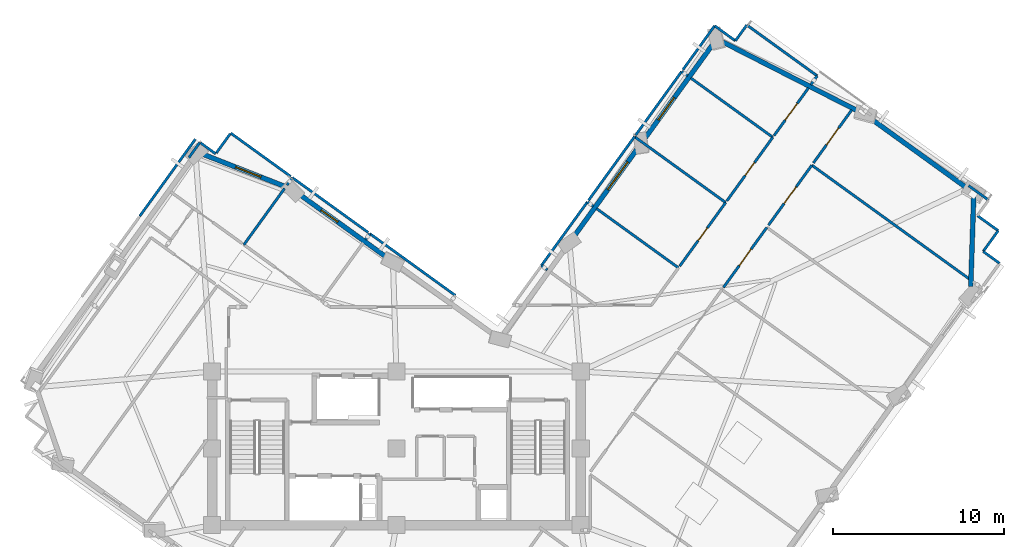
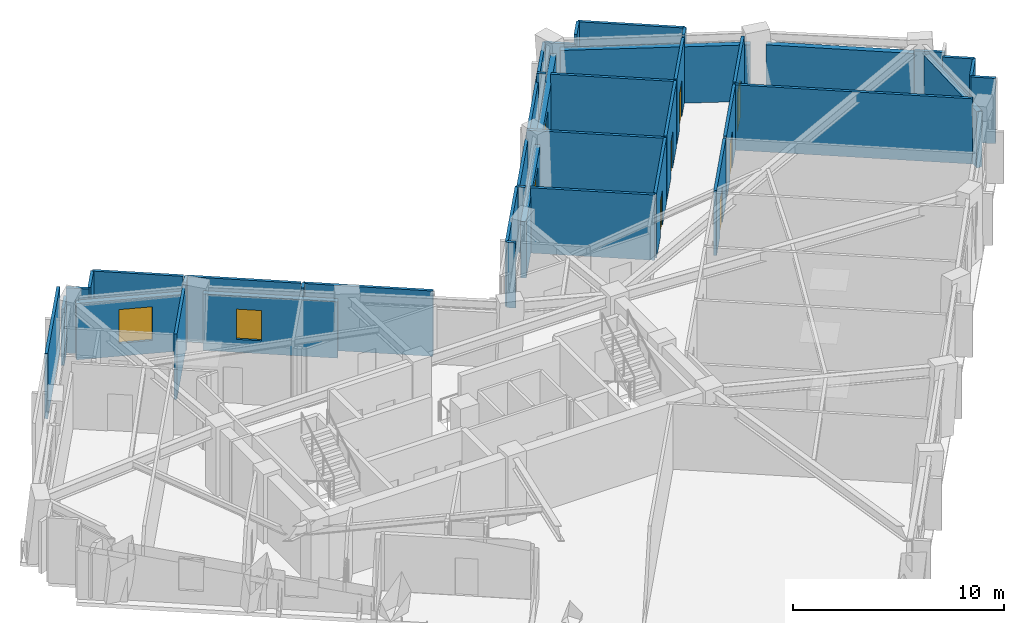
# One storey, part 7 of 13: 42 walls, 6 doors, 4 windows, 10 openings.
"""IFC4 building model written with IfcOpenShell, lengths in metres."""

from ifc_helpers import new_model, si_unit, direction, frame, frame_2d, origin, place, context, subcontext, project, spatial, rectangle, extrude, material, layer, layer_set, type_object, element, fill, save


model = new_model("IFC4")

# Units and contexts
model_context = context("Model", 3, precision=1e-05, world=origin(), true_north=direction((0.0, 1.0)))
body_context = subcontext(model_context, "Body", "Model", "MODEL_VIEW")
ifc_project = project(units=[si_unit("LENGTHUNIT", "METRE"), si_unit("AREAUNIT", "SQUARE_METRE"), si_unit("VOLUMEUNIT", "CUBIC_METRE"), si_unit("PLANEANGLEUNIT", "RADIAN"), si_unit("MASSUNIT", "GRAM", prefix="KILO")], contexts=[model_context])

# Site, building, storey
site_placement = place(None, origin())
site = spatial("IfcSite", under=ifc_project, at=site_placement, CompositionType="ELEMENT")
building_placement = place(site_placement, origin())
building = spatial("IfcBuilding", under=site, at=building_placement, Name="Gaonmaruhae Medical Tower", CompositionType="ELEMENT")
storey_placement = place(building_placement, frame((0.0, 0.0, 255.199951171875)))
storey = spatial("IfcBuildingStorey", under=building, at=storey_placement, Name="L61", CompositionType="ELEMENT", Elevation=255.199951171875)

# Walls
ifc_material_1 = material(Name="Precast concrete C45/55", Category="concrete")
ifc_layer_1 = layer(ifc_material_1, 0.280029296875)
ifc_layer_set_1 = layer_set([ifc_layer_1], Name="Precast concrete C45/55")
wall_type_1 = type_object("IfcWallType", Name="EW-280 Upper Precast Masonry-Frame Facade Wall", PredefinedType="SOLIDWALL", material=ifc_layer_set_1)
wall_1_placement = place(storey_placement, frame((58.6240234375, 27.06591796875, 0.0), z_axis=(0.0, 0.0, 1.0), x_axis=(-0.03315820566, -0.999450115512, 0.0)))
element("IfcWall", 1, at=wall_1_placement, inside=storey, type_object=wall_type_1, Name="L61 Precast Masonry-Frame Wall S06-E01", PredefinedType="SOLIDWALL", context=body_context, shape_type="SweptSolid", body=[
    extrude(rectangle(XDim=5.2939453125, YDim=0.280029296875, at=frame_2d((2.64697265625, 0.0))), origin(), (0.0, 0.0, 1.0), 3.26513671875),
])
wall_2_placement = place(storey_placement, frame((52.50927734375, 31.6787109375, 0.0), z_axis=(0.0, 0.0, 1.0), x_axis=(0.81055861037, -0.58565752719, 0.0)))
element("IfcWall", 2, at=wall_2_placement, inside=storey, type_object=wall_type_1, Name="L61 Precast Masonry-Frame Wall E01-E02", PredefinedType="SOLIDWALL", context=body_context, shape_type="SweptSolid", body=[
    extrude(rectangle(XDim=7.04638671875, YDim=0.280029296875, at=frame_2d((3.523193359375, 0.0))), origin(), (0.0, 0.0, 1.0), 3.26513671875),
])
wall_3_placement = place(storey_placement, frame((43.810791015625, 36.164794921875, 0.0), z_axis=(0.0, 0.0, 1.0), x_axis=(0.890535873605, -0.454913022261, 0.0)))
element("IfcWall", 3, at=wall_3_placement, inside=storey, type_object=wall_type_1, Name="L61 Precast Masonry-Frame Wall E02-E03", PredefinedType="SOLIDWALL", context=body_context, shape_type="SweptSolid", body=[
    extrude(rectangle(XDim=9.03662109375, YDim=0.280029296875, at=frame_2d((4.518310546875, 0.0))), origin(), (0.0, 0.0, 1.0), 3.26513671875),
])

# Wall, opening, window
wall_4_placement = place(storey_placement, frame((39.38134765625, 30.496337890625, 0.0), z_axis=(0.0, 0.0, 1.0), x_axis=(0.585668033743, 0.810551018908, 0.0)))
wall_4 = element("IfcWall", 4, at=wall_4_placement, inside=storey, type_object=wall_type_1, Name="L61 Precast Masonry-Frame Wall E03-EN01", PredefinedType="SOLIDWALL", context=body_context, shape_type="SweptSolid", body=[
    extrude(rectangle(XDim=6.77978515625, YDim=0.280029296875, at=frame_2d((3.389892578125, 0.0))), origin(), (0.0, 0.0, 1.0), 3.26513671875),
])
opening_1_placement = place(wall_4_placement, frame((1.294921875, 0.0, 0.75)))
opening_1 = element("IfcOpeningElement", 5, at=opening_1_placement, cuts=wall_4, Name="Opening WN-01", PredefinedType="OPENING", context=body_context, shape_type="SweptSolid", body=[
    extrude(rectangle(XDim=1.60009765625, YDim=1.949951171875, at=frame_2d((0.800048828125, 0.97509765625))), frame((0.0, 0.14990234375, 0.0), z_axis=(0.0, -1.0, 0.0), x_axis=(1.0, 0.0, 0.0)), (0.0, 0.0, 1.0), 0.300048828125),
])
ifc_material_2 = material(Name="Anodised aluminium and Low-E double glazing", Category="aluminium")
window_type_1 = type_object("IfcWindowType", Name="WN-01 Ward Punched Acoustic Window 1600x1950", PartitioningType="SINGLE_PANEL", PredefinedType="WINDOW", material=ifc_material_2)
window_1_placement = place(opening_1_placement, origin())
window_1 = element("IfcWindow", 6, at=window_1_placement, inside=storey, type_object=window_type_1, Name="L61 Modular Facade Window E03", OverallHeight=1.949951171875, OverallWidth=1.60009765625, PartitioningType="SINGLE_PANEL", PredefinedType="WINDOW", context=body_context, shape_type="SweptSolid", body=[
    extrude(rectangle(XDim=1.60009765625, YDim=1.949951171875, at=frame_2d((0.800048828125, 0.97509765625))), frame((0.0, 0.030029296875, 0.0), z_axis=(0.0, -1.0, 0.0), x_axis=(1.0, 0.0, 0.0)), (0.0, 0.0, 1.0), 0.06005859375),
])
fill(opening_1, window_1)

wall_5_placement = place(storey_placement, frame((35.16796875, 24.664794921875, 0.0), z_axis=(0.0, 0.0, 1.0), x_axis=(0.585643524066, 0.810568727943, 0.0)))
wall_5 = element("IfcWall", 7, at=wall_5_placement, inside=storey, type_object=wall_type_1, Name="L61 Precast Masonry-Frame Wall EN01-EN02", PredefinedType="SOLIDWALL", context=body_context, shape_type="SweptSolid", body=[
    extrude(rectangle(XDim=6.409423828125, YDim=0.280029296875, at=frame_2d((3.20458984375, 0.0))), origin(), (0.0, 0.0, 1.0), 3.26513671875),
])
opening_2_placement = place(wall_5_placement, frame((3.446533203125, 0.0, 0.75)))
opening_2 = element("IfcOpeningElement", 8, at=opening_2_placement, cuts=wall_5, Name="Opening WN-02", PredefinedType="OPENING", context=body_context, shape_type="SweptSolid", body=[
    extrude(rectangle(XDim=2.0, YDim=1.949951171875, at=frame_2d((1.0, 0.97509765625))), frame((0.0, 0.14990234375, 0.0), z_axis=(0.0, -1.0, 0.0), x_axis=(1.0, 0.0, 0.0)), (0.0, 0.0, 1.0), 0.300048828125),
])
window_type_2 = type_object("IfcWindowType", Name="WN-02 Double-Bed Ward Punched Window 2000x1950", PartitioningType="SINGLE_PANEL", PredefinedType="WINDOW", material=ifc_material_2)
window_2_placement = place(opening_2_placement, origin())
window_2 = element("IfcWindow", 9, at=window_2_placement, inside=storey, type_object=window_type_2, Name="L61 Modular Facade Window EN01", OverallHeight=1.949951171875, OverallWidth=2.0, PartitioningType="SINGLE_PANEL", PredefinedType="WINDOW", context=body_context, shape_type="SweptSolid", body=[
    extrude(rectangle(XDim=2.0, YDim=1.949951171875, at=frame_2d((1.0, 0.97509765625))), frame((0.0, 0.030029296875, 0.0), z_axis=(0.0, -1.0, 0.0), x_axis=(1.0, 0.0, 0.0)), (0.0, 0.0, 1.0), 0.06005859375),
])
fill(opening_2, window_2)

wall_6_placement = place(storey_placement, frame((19.09423828125, 27.2001953125, 0.0), z_axis=(0.0, 0.0, 1.0), x_axis=(0.810562962933, -0.585651503132, 0.0)))
wall_6 = element("IfcWall", 10, at=wall_6_placement, inside=storey, type_object=wall_type_1, Name="L61 Precast Masonry-Frame Wall NE01-NE02", PredefinedType="SOLIDWALL", context=body_context, shape_type="SweptSolid", body=[
    extrude(rectangle(XDim=6.424072265625, YDim=0.280029296875, at=frame_2d((3.2119140625, 0.0))), origin(), (0.0, 0.0, 1.0), 3.26513671875),
])
opening_3_placement = place(wall_6_placement, frame((1.60107421875, 0.0, 0.75)))
opening_3 = element("IfcOpeningElement", 11, at=opening_3_placement, cuts=wall_6, Name="Opening WN-05", PredefinedType="OPENING", context=body_context, shape_type="SweptSolid", body=[
    extrude(rectangle(XDim=1.199951171875, YDim=1.75, at=frame_2d((0.60009765625, 0.875))), frame((0.0, 0.14990234375, 0.0), z_axis=(0.0, -1.0, 0.0), x_axis=(1.0, 0.0, 0.0)), (0.0, 0.0, 1.0), 0.300048828125),
])
window_type_3 = type_object("IfcWindowType", Name="WN-05 Support & Staff Punched Window 1200x1750", PartitioningType="SINGLE_PANEL", PredefinedType="WINDOW", material=ifc_material_2)
window_3_placement = place(opening_3_placement, origin())
window_3 = element("IfcWindow", 12, at=window_3_placement, inside=storey, type_object=window_type_3, Name="L61 Modular Facade Window NE01", OverallHeight=1.75, OverallWidth=1.199951171875, PartitioningType="SINGLE_PANEL", PredefinedType="WINDOW", context=body_context, shape_type="SweptSolid", body=[
    extrude(rectangle(XDim=1.199951171875, YDim=1.75, at=frame_2d((0.60009765625, 0.875))), frame((0.0, 0.030029296875, 0.0), z_axis=(0.0, -1.0, 0.0), x_axis=(1.0, 0.0, 0.0)), (0.0, 0.0, 1.0), 0.06005859375),
])
fill(opening_3, window_3)

wall_7_placement = place(storey_placement, frame((13.477783203125, 29.525634765625, 0.0), z_axis=(0.0, 0.0, 1.0), x_axis=(0.930610950032, -0.366009917461, 0.0)))
wall_7 = element("IfcWall", 13, at=wall_7_placement, inside=storey, type_object=wall_type_1, Name="L61 Precast Masonry-Frame Wall NE02-N01", PredefinedType="SOLIDWALL", context=body_context, shape_type="SweptSolid", body=[
    extrude(rectangle(XDim=5.30224609375, YDim=0.280029296875, at=frame_2d((2.651123046875, 0.0))), origin(), (0.0, 0.0, 1.0), 3.26513671875),
])
opening_4_placement = place(wall_7_placement, frame((2.03662109375, 0.0, 0.75)))
opening_4 = element("IfcOpeningElement", 14, at=opening_4_placement, cuts=wall_7, Name="Opening WN-01", PredefinedType="OPENING", context=body_context, shape_type="SweptSolid", body=[
    extrude(rectangle(XDim=1.60009765625, YDim=1.949951171875, at=frame_2d((0.800048828125, 0.97509765625))), frame((0.0, 0.14990234375, 0.0), z_axis=(0.0, -1.0, 0.0), x_axis=(1.0, 0.0, 0.0)), (0.0, 0.0, 1.0), 0.300048828125),
])
window_4_placement = place(opening_4_placement, origin())
window_4 = element("IfcWindow", 15, at=window_4_placement, inside=storey, type_object=window_type_1, Name="L61 Modular Facade Window NE02", OverallHeight=1.949951171875, OverallWidth=1.60009765625, PartitioningType="SINGLE_PANEL", PredefinedType="WINDOW", context=body_context, shape_type="SweptSolid", body=[
    extrude(rectangle(XDim=1.60009765625, YDim=1.949951171875, at=frame_2d((0.800048828125, 0.97509765625))), frame((0.0, 0.030029296875, 0.0), z_axis=(0.0, -1.0, 0.0), x_axis=(1.0, 0.0, 0.0)), (0.0, 0.0, 1.0), 0.06005859375),
])
fill(opening_4, window_4)

# Wall, opening, door
ifc_material_3 = material(Name="Gypsum board partition", Category="gypsum")
ifc_layer_2 = layer(ifc_material_3, 0.14990234375)
ifc_layer_set_2 = layer_set([ifc_layer_2], Name="Gypsum board partition")
wall_type_2 = type_object("IfcWallType", Name="PW-150 Rated Clinical Corridor Partition", PredefinedType="PARTITIONING", material=ifc_layer_set_2)
wall_8_placement = place(storey_placement, frame((43.9609375, 21.72412109375, 0.0), z_axis=(0.0, 0.0, 1.0), x_axis=(0.585693863478, 0.810532354865, 0.0)))
wall_8 = element("IfcWall", 16, at=wall_8_placement, inside=storey, type_object=wall_type_2, Name="L61 Interior Partition L61-SUP08-19", PredefinedType="PARTITIONING", context=body_context, shape_type="SweptSolid", body=[
    extrude(rectangle(XDim=4.340087890625, YDim=0.14990234375, at=frame_2d((2.169921875, 0.0))), origin(), (0.0, 0.0, 1.0), 3.780029296875),
])
opening_5_placement = place(wall_8_placement, frame((1.570068359375, 0.0, 0.0)))
opening_5 = element("IfcOpeningElement", 17, at=opening_5_placement, cuts=wall_8, Name="Opening CD-02", PredefinedType="OPENING", context=body_context, shape_type="SweptSolid", body=[
    extrude(rectangle(XDim=1.199951171875, YDim=2.14990234375, at=frame_2d((0.60009765625, 1.074951171875))), frame((0.0, 0.0849609375, 0.0), z_axis=(0.0, -1.0, 0.0), x_axis=(1.0, 0.0, 0.0)), (0.0, 0.0, 1.0), 0.169921875),
])
ifc_material_4 = material(Name="Antimicrobial laminate timber fire door", Category="wood")
door_type_1 = type_object("IfcDoorType", Name="CD-02 Clinical Treatment & Procedure Door 1200x2150", OperationType="NOTDEFINED", PredefinedType="DOOR", material=ifc_material_4)
door_1_placement = place(opening_5_placement, origin())
door_1 = element("IfcDoor", 18, at=door_1_placement, inside=storey, type_object=door_type_1, Name="L61 Clinical Biomedical Charting Office Door", OperationType="SINGLE_SWING_LEFT", OverallHeight=2.14990234375, OverallWidth=1.199951171875, PredefinedType="DOOR", context=body_context, shape_type="SweptSolid", body=[
    extrude(rectangle(XDim=1.199951171875, YDim=2.14990234375, at=frame_2d((0.60009765625, 1.074951171875))), frame((0.0, 0.02490234375, 0.0), z_axis=(0.0, -1.0, 0.0), x_axis=(1.0, 0.0, 0.0)), (0.0, 0.0, 1.0), 0.050048828125),
])
fill(opening_5, door_1)

wall_9_placement = place(storey_placement, frame((46.596923828125, 25.37109375, 0.0), z_axis=(0.0, 0.0, 1.0), x_axis=(0.585693863478, 0.810532354865, 0.0)))
wall_9 = element("IfcWall", 19, at=wall_9_placement, inside=storey, type_object=wall_type_2, Name="L61 Interior Partition L61-SUP09-22", PredefinedType="PARTITIONING", context=body_context, shape_type="SweptSolid", body=[
    extrude(rectangle(XDim=4.340087890625, YDim=0.14990234375, at=frame_2d((2.169921875, 0.0))), origin(), (0.0, 0.0, 1.0), 3.780029296875),
])
opening_6_placement = place(wall_9_placement, frame((1.570068359375, 0.0, 0.0)))
opening_6 = element("IfcOpeningElement", 20, at=opening_6_placement, cuts=wall_9, Name="Opening CD-02", PredefinedType="OPENING", context=body_context, shape_type="SweptSolid", body=[
    extrude(rectangle(XDim=1.199951171875, YDim=2.14990234375, at=frame_2d((0.60009765625, 1.074951171875))), frame((0.0, 0.0849609375, 0.0), z_axis=(0.0, -1.0, 0.0), x_axis=(1.0, 0.0, 0.0)), (0.0, 0.0, 1.0), 0.169921875),
])
door_2_placement = place(opening_6_placement, origin())
door_2 = element("IfcDoor", 21, at=door_2_placement, inside=storey, type_object=door_type_1, Name="L61 Clinical Biomedical Charting Office Door", OperationType="SINGLE_SWING_LEFT", OverallHeight=2.14990234375, OverallWidth=1.199951171875, PredefinedType="DOOR", context=body_context, shape_type="SweptSolid", body=[
    extrude(rectangle(XDim=1.199951171875, YDim=2.14990234375, at=frame_2d((0.60009765625, 1.074951171875))), frame((0.0, 0.02490234375, 0.0), z_axis=(0.0, -1.0, 0.0), x_axis=(1.0, 0.0, 0.0)), (0.0, 0.0, 1.0), 0.050048828125),
])
fill(opening_6, door_2)

# Walls
wall_10_placement = place(storey_placement, frame((49.138916015625, 28.888916015625, 0.0), z_axis=(0.0, 0.0, 1.0), x_axis=(0.810544932865, -0.585676456593, 0.0)))
element("IfcWall", 22, at=wall_10_placement, inside=storey, type_object=wall_type_2, Name="L61 Interior Partition L61-SUP09-23", PredefinedType="PARTITIONING", context=body_context, shape_type="SweptSolid", body=[
    extrude(rectangle(XDim=11.363037109375, YDim=0.14990234375, at=frame_2d((5.681640625, 0.0))), origin(), (0.0, 0.0, 1.0), 3.780029296875),
])
wall_11_placement = place(storey_placement, frame((60.06005859375, 25.051025390625, 0.0), z_axis=(0.0, 0.0, 1.0), x_axis=(-0.585876607151, -0.810400272207, 0.0)))
element("IfcWall", 23, at=wall_11_placement, inside=storey, type_object=wall_type_2, Name="L61 Interior Partition L61-SUP10-26", PredefinedType="PARTITIONING", context=body_context, shape_type="SweptSolid", body=[
    extrude(rectangle(XDim=1.50048828125, YDim=0.14990234375, at=frame_2d((0.750244140625, 0.0))), origin(), (0.0, 0.0, 1.0), 3.780029296875),
])
wall_12_placement = place(storey_placement, frame((59.180908203125, 23.8349609375, 0.0), z_axis=(0.0, 0.0, 1.0), x_axis=(0.810788295009, -0.585339508897, 0.0)))
element("IfcWall", 24, at=wall_12_placement, inside=storey, type_object=wall_type_2, Name="L61 Interior Partition L61-SUP10-27", PredefinedType="PARTITIONING", context=body_context, shape_type="SweptSolid", body=[
    extrude(rectangle(XDim=1.180419921875, YDim=0.14990234375, at=frame_2d((0.59033203125, 0.0))), origin(), (0.0, 0.0, 1.0), 3.780029296875),
])

# Wall, opening, door
wall_13_placement = place(storey_placement, frame((49.23193359375, 29.01904296875, 0.0), z_axis=(0.0, 0.0, 1.0), x_axis=(0.58580257886, 0.810453785605, 0.0)))
wall_13 = element("IfcWall", 25, at=wall_13_placement, inside=storey, type_object=wall_type_2, Name="L61 Interior Partition L61-SUP10-29", PredefinedType="PARTITIONING", context=body_context, shape_type="SweptSolid", body=[
    extrude(rectangle(XDim=3.82763671875, YDim=0.14990234375, at=frame_2d((1.913818359375, 0.0))), origin(), (0.0, 0.0, 1.0), 3.780029296875),
])
opening_7_placement = place(wall_13_placement, frame((1.313720703125, 0.0, 0.0)))
opening_7 = element("IfcOpeningElement", 26, at=opening_7_placement, cuts=wall_13, Name="Opening CD-02", PredefinedType="OPENING", context=body_context, shape_type="SweptSolid", body=[
    extrude(rectangle(XDim=1.199951171875, YDim=2.14990234375, at=frame_2d((0.60009765625, 1.074951171875))), frame((0.0, 0.0849609375, 0.0), z_axis=(0.0, -1.0, 0.0), x_axis=(1.0, 0.0, 0.0)), (0.0, 0.0, 1.0), 0.169921875),
])
door_3_placement = place(opening_7_placement, origin())
door_3 = element("IfcDoor", 27, at=door_3_placement, inside=storey, type_object=door_type_1, Name="L61 Clinical Biomedical Charting Office Door", OperationType="SINGLE_SWING_LEFT", OverallHeight=2.14990234375, OverallWidth=1.199951171875, PredefinedType="DOOR", context=body_context, shape_type="SweptSolid", body=[
    extrude(rectangle(XDim=1.199951171875, YDim=2.14990234375, at=frame_2d((0.60009765625, 1.074951171875))), frame((0.0, 0.02490234375, 0.0), z_axis=(0.0, -1.0, 0.0), x_axis=(1.0, 0.0, 0.0)), (0.0, 0.0, 1.0), 0.050048828125),
])
fill(opening_7, door_3)

# Walls
wall_14_placement = place(storey_placement, frame((58.320068359375, 27.68994140625, 0.0), z_axis=(0.0, 0.0, 1.0), x_axis=(0.810400575894, -0.585876187083, 0.0)))
element("IfcWall", 28, at=wall_14_placement, inside=storey, type_object=wall_type_2, Name="L61 Interior Partition L61-SUP10-31", PredefinedType="PARTITIONING", context=body_context, shape_type="SweptSolid", body=[
    extrude(rectangle(XDim=1.4560546875, YDim=0.14990234375, at=frame_2d((0.72802734375, 0.0))), origin(), (0.0, 0.0, 1.0), 3.26513671875),
])
wall_15_placement = place(storey_placement, frame((58.843994140625, 25.929931640625, 0.0), z_axis=(0.0, 0.0, 1.0), x_axis=(0.810477520797, -0.585769739986, 0.0)))
element("IfcWall", 29, at=wall_15_placement, inside=storey, type_object=wall_type_2, Name="L61 Interior Partition L61-SUP10-33", PredefinedType="PARTITIONING", context=body_context, shape_type="SweptSolid", body=[
    extrude(rectangle(XDim=1.50048828125, YDim=0.14990234375, at=frame_2d((0.750244140625, 0.0))), origin(), (0.0, 0.0, 1.0), 3.780029296875),
])
wall_16_placement = place(storey_placement, frame((33.2919921875, 23.008056640625, 0.0), z_axis=(0.0, 0.0, 1.0), x_axis=(0.585684390919, 0.81053919969, 0.0)))
element("IfcWall", 30, at=wall_16_placement, inside=storey, type_object=wall_type_2, Name="L61 Interior Partition L61-IE03-56", PredefinedType="PARTITIONING", context=body_context, shape_type="SweptSolid", body=[
    extrude(rectangle(XDim=4.59814453125, YDim=0.14990234375, at=frame_2d((2.299072265625, 0.0))), origin(), (0.0, 0.0, 1.0), 3.780029296875),
])
wall_17_placement = place(storey_placement, frame((35.985107421875, 26.735107421875, 0.0), z_axis=(0.0, 0.0, 1.0), x_axis=(0.810309392331, -0.586002294108, 0.0)))
element("IfcWall", 31, at=wall_17_placement, inside=storey, type_object=wall_type_2, Name="L61 Interior Partition L61-IE03-57", PredefinedType="PARTITIONING", context=body_context, shape_type="SweptSolid", body=[
    extrude(rectangle(XDim=0.435302734375, YDim=0.14990234375, at=frame_2d((0.2177734375, 0.0))), origin(), (0.0, 0.0, 1.0), 3.780029296875),
])
wall_18_placement = place(storey_placement, frame((36.52392578125, 26.344970703125, 0.0), z_axis=(0.0, 0.0, 1.0), x_axis=(0.81053033329, -0.585696661094, 0.0)))
element("IfcWall", 32, at=wall_18_placement, inside=storey, type_object=wall_type_2, Name="L61 Interior Partition L61-IE03-58", PredefinedType="PARTITIONING", context=body_context, shape_type="SweptSolid", body=[
    extrude(rectangle(XDim=5.924560546875, YDim=0.14990234375, at=frame_2d((2.96240234375, 0.0))), origin(), (0.0, 0.0, 1.0), 3.780029296875),
])
wall_19_placement = place(storey_placement, frame((33.64501953125, 22.7529296875, 0.0), z_axis=(0.0, 0.0, 1.0), x_axis=(-0.810501828057, 0.585736106721, 0.0)))
element("IfcWall", 33, at=wall_19_placement, inside=storey, type_object=wall_type_2, Name="L61 Interior Partition L61-IE03-62", PredefinedType="PARTITIONING", context=body_context, shape_type="SweptSolid", body=[
    extrude(rectangle(XDim=0.435546875, YDim=0.14990234375, at=frame_2d((0.2177734375, 0.0))), origin(), (0.0, 0.0, 1.0), 3.780029296875),
])

# Wall, opening, door
wall_20_placement = place(storey_placement, frame((44.089111328125, 26.698974609375, 0.0), z_axis=(0.0, 0.0, 1.0), x_axis=(-0.585544838351, -0.810640020157, 0.0)))
wall_20 = element("IfcWall", 34, at=wall_20_placement, inside=storey, type_object=wall_type_2, Name="L61 Interior Partition L61-IE04-63", PredefinedType="PARTITIONING", context=body_context, shape_type="SweptSolid", body=[
    extrude(rectangle(XDim=4.59765625, YDim=0.14990234375, at=frame_2d((2.298828125, 0.0))), origin(), (0.0, 0.0, 1.0), 3.780029296875),
])
opening_8_placement = place(wall_20_placement, frame((1.8388671875, 0.0, 0.0)))
opening_8 = element("IfcOpeningElement", 35, at=opening_8_placement, cuts=wall_20, Name="Opening UD-01", PredefinedType="OPENING", context=body_context, shape_type="SweptSolid", body=[
    extrude(rectangle(XDim=0.919921875, YDim=2.10009765625, at=frame_2d((0.4599609375, 1.050048828125))), frame((0.0, 0.0849609375, 0.0), z_axis=(0.0, -1.0, 0.0), x_axis=(1.0, 0.0, 0.0)), (0.0, 0.0, 1.0), 0.169921875),
])
ifc_material_5 = material(Name="Powder-coated steel utility door", Category="steel")
door_type_2 = type_object("IfcDoorType", Name="UD-01 Toilet, Utility & Housekeeping Door 920x2100", OperationType="NOTDEFINED", PredefinedType="DOOR", material=ifc_material_5)
door_4_placement = place(opening_8_placement, origin())
door_4 = element("IfcDoor", 36, at=door_4_placement, inside=storey, type_object=door_type_2, Name="L61 Accessible Public Toilet Door", OperationType="SINGLE_SWING_RIGHT", OverallHeight=2.10009765625, OverallWidth=0.919921875, PredefinedType="DOOR", context=body_context, shape_type="SweptSolid", body=[
    extrude(rectangle(XDim=0.919921875, YDim=2.10009765625, at=frame_2d((0.4599609375, 1.050048828125))), frame((0.0, 0.02490234375, 0.0), z_axis=(0.0, -1.0, 0.0), x_axis=(1.0, 0.0, 0.0)), (0.0, 0.0, 1.0), 0.050048828125),
])
fill(opening_8, door_4)

# Walls
wall_21_placement = place(storey_placement, frame((36.054931640625, 26.83203125, 0.0), z_axis=(0.0, 0.0, 1.0), x_axis=(0.585684390919, 0.81053919969, 0.0)))
element("IfcWall", 37, at=wall_21_placement, inside=storey, type_object=wall_type_2, Name="L61 Interior Partition L61-IE04-64", PredefinedType="PARTITIONING", context=body_context, shape_type="SweptSolid", body=[
    extrude(rectangle(XDim=4.59814453125, YDim=0.14990234375, at=frame_2d((2.299072265625, 0.0))), origin(), (0.0, 0.0, 1.0), 3.26513671875),
])
wall_22_placement = place(storey_placement, frame((38.748046875, 30.55908203125, 0.0), z_axis=(0.0, 0.0, 1.0), x_axis=(0.810486733326, -0.585756993217, 0.0)))
element("IfcWall", 38, at=wall_22_placement, inside=storey, type_object=wall_type_2, Name="L61 Interior Partition L61-IE04-65", PredefinedType="PARTITIONING", context=body_context, shape_type="SweptSolid", body=[
    extrude(rectangle(XDim=6.58984375, YDim=0.14990234375, at=frame_2d((3.294921875, 0.0))), origin(), (0.0, 0.0, 1.0), 3.780029296875),
])

# Wall, opening, door
wall_23_placement = place(storey_placement, frame((46.85205078125, 30.52294921875, 0.0), z_axis=(0.0, 0.0, 1.0), x_axis=(-0.585544838351, -0.810640020157, 0.0)))
wall_23 = element("IfcWall", 39, at=wall_23_placement, inside=storey, type_object=wall_type_2, Name="L61 Interior Partition L61-IE05-66", PredefinedType="PARTITIONING", context=body_context, shape_type="SweptSolid", body=[
    extrude(rectangle(XDim=4.59765625, YDim=0.14990234375, at=frame_2d((2.298828125, 0.0))), origin(), (0.0, 0.0, 1.0), 3.780029296875),
])
opening_9_placement = place(wall_23_placement, frame((1.8388671875, 0.0, 0.0)))
opening_9 = element("IfcOpeningElement", 40, at=opening_9_placement, cuts=wall_23, Name="Opening UD-01", PredefinedType="OPENING", context=body_context, shape_type="SweptSolid", body=[
    extrude(rectangle(XDim=0.919921875, YDim=2.10009765625, at=frame_2d((0.4599609375, 1.050048828125))), frame((0.0, 0.0849609375, 0.0), z_axis=(0.0, -1.0, 0.0), x_axis=(1.0, 0.0, 0.0)), (0.0, 0.0, 1.0), 0.169921875),
])
door_5_placement = place(opening_9_placement, origin())
door_5 = element("IfcDoor", 41, at=door_5_placement, inside=storey, type_object=door_type_2, Name="L61 Ward Housekeeping and Linen Store Door", OperationType="SINGLE_SWING_RIGHT", OverallHeight=2.10009765625, OverallWidth=0.919921875, PredefinedType="DOOR", context=body_context, shape_type="SweptSolid", body=[
    extrude(rectangle(XDim=0.919921875, YDim=2.10009765625, at=frame_2d((0.4599609375, 1.050048828125))), frame((0.0, 0.02490234375, 0.0), z_axis=(0.0, -1.0, 0.0), x_axis=(1.0, 0.0, 0.0)), (0.0, 0.0, 1.0), 0.050048828125),
])
fill(opening_9, door_5)

# Walls
wall_24_placement = place(storey_placement, frame((38.818115234375, 30.656005859375, 0.0), z_axis=(0.0, 0.0, 1.0), x_axis=(0.58575034069, 0.810491541215, 0.0)))
element("IfcWall", 42, at=wall_24_placement, inside=storey, type_object=wall_type_2, Name="L61 Interior Partition L61-IE05-67", PredefinedType="PARTITIONING", context=body_context, shape_type="SweptSolid", body=[
    extrude(rectangle(XDim=4.597412109375, YDim=0.14990234375, at=frame_2d((2.298828125, 0.0))), origin(), (0.0, 0.0, 1.0), 3.26513671875),
])
wall_25_placement = place(storey_placement, frame((41.510986328125, 34.382080078125, 0.0), z_axis=(0.0, 0.0, 1.0), x_axis=(0.810797825158, -0.585326307899, 0.0)))
element("IfcWall", 43, at=wall_25_placement, inside=storey, type_object=wall_type_2, Name="L61 Interior Partition L61-IE05-68", PredefinedType="PARTITIONING", context=body_context, shape_type="SweptSolid", body=[
    extrude(rectangle(XDim=0.43408203125, YDim=0.14990234375, at=frame_2d((0.217041015625, 0.0))), origin(), (0.0, 0.0, 1.0), 3.780029296875),
])
wall_26_placement = place(storey_placement, frame((42.050048828125, 33.992919921875, 0.0), z_axis=(0.0, 0.0, 1.0), x_axis=(0.81053033329, -0.585696661094, 0.0)))
element("IfcWall", 44, at=wall_26_placement, inside=storey, type_object=wall_type_2, Name="L61 Interior Partition L61-IE05-69", PredefinedType="PARTITIONING", context=body_context, shape_type="SweptSolid", body=[
    extrude(rectangle(XDim=5.924560546875, YDim=0.14990234375, at=frame_2d((2.96240234375, 0.0))), origin(), (0.0, 0.0, 1.0), 3.780029296875),
])
wall_27_placement = place(storey_placement, frame((44.658935546875, 36.178955078125, 0.0), z_axis=(0.0, 0.0, 1.0), x_axis=(0.585826664319, 0.810436375894, 0.0)))
element("IfcWall", 45, at=wall_27_placement, inside=storey, type_object=wall_type_2, Name="L61 Interior Partition L61-IE06-70", PredefinedType="PARTITIONING", context=body_context, shape_type="SweptSolid", body=[
    extrude(rectangle(XDim=1.14013671875, YDim=0.14990234375, at=frame_2d((0.570068359375, 0.0))), origin(), (0.0, 0.0, 1.0), 3.780029296875),
])
wall_28_placement = place(storey_placement, frame((45.326904296875, 37.10302734375, 0.0), z_axis=(0.0, 0.0, 1.0), x_axis=(0.810578036325, -0.585630640445, 0.0)))
element("IfcWall", 46, at=wall_28_placement, inside=storey, type_object=wall_type_2, Name="L61 Interior Partition L61-IE06-71", PredefinedType="PARTITIONING", context=body_context, shape_type="SweptSolid", body=[
    extrude(rectangle(XDim=5.090087890625, YDim=0.14990234375, at=frame_2d((2.544921875, 0.0))), origin(), (0.0, 0.0, 1.0), 3.780029296875),
])
wall_29_placement = place(storey_placement, frame((49.452880859375, 34.1220703125, 0.0), z_axis=(0.0, 0.0, 1.0), x_axis=(-0.585629751067, -0.810578678886, 0.0)))
element("IfcWall", 47, at=wall_29_placement, inside=storey, type_object=wall_type_2, Name="L61 Interior Partition L61-IE06-72", PredefinedType="PARTITIONING", context=body_context, shape_type="SweptSolid", body=[
    extrude(rectangle(XDim=0.640380859375, YDim=0.14990234375, at=frame_2d((0.3203125, 0.0))), origin(), (0.0, 0.0, 1.0), 3.780029296875),
])

# Wall, opening, door
wall_30_placement = place(storey_placement, frame((48.94189453125, 33.4140625, 0.0), z_axis=(0.0, 0.0, 1.0), x_axis=(-0.585671558501, -0.810548472063, 0.0)))
wall_30 = element("IfcWall", 48, at=wall_30_placement, inside=storey, type_object=wall_type_2, Name="L61 Interior Partition L61-IE06-73", PredefinedType="PARTITIONING", context=body_context, shape_type="SweptSolid", body=[
    extrude(rectangle(XDim=3.447021484375, YDim=0.14990234375, at=frame_2d((1.7236328125, 0.0))), origin(), (0.0, 0.0, 1.0), 3.780029296875),
])
opening_10_placement = place(wall_30_placement, frame((1.12353515625, 0.0, 0.0)))
opening_10 = element("IfcOpeningElement", 49, at=opening_10_placement, cuts=wall_30, Name="Opening CD-02", PredefinedType="OPENING", context=body_context, shape_type="SweptSolid", body=[
    extrude(rectangle(XDim=1.199951171875, YDim=2.14990234375, at=frame_2d((0.60009765625, 1.074951171875))), frame((0.0, 0.0849609375, 0.0), z_axis=(0.0, -1.0, 0.0), x_axis=(1.0, 0.0, 0.0)), (0.0, 0.0, 1.0), 0.169921875),
])
door_6_placement = place(opening_10_placement, origin())
door_6 = element("IfcDoor", 50, at=door_6_placement, inside=storey, type_object=door_type_1, Name="L61 Multidisciplinary Clinical Consultation Room Door", OperationType="SINGLE_SWING_RIGHT", OverallHeight=2.14990234375, OverallWidth=1.199951171875, PredefinedType="DOOR", context=body_context, shape_type="SweptSolid", body=[
    extrude(rectangle(XDim=1.199951171875, YDim=2.14990234375, at=frame_2d((0.60009765625, 1.074951171875))), frame((0.0, 0.02490234375, 0.0), z_axis=(0.0, -1.0, 0.0), x_axis=(1.0, 0.0, 0.0)), (0.0, 0.0, 1.0), 0.050048828125),
])
fill(opening_10, door_6)

# Walls
wall_31_placement = place(storey_placement, frame((41.5810546875, 34.47998046875, 0.0), z_axis=(0.0, 0.0, 1.0), x_axis=(0.585689602473, 0.810535433867, 0.0)))
element("IfcWall", 51, at=wall_31_placement, inside=storey, type_object=wall_type_2, Name="L61 Interior Partition L61-IE06-74", PredefinedType="PARTITIONING", context=body_context, shape_type="SweptSolid", body=[
    extrude(rectangle(XDim=3.17919921875, YDim=0.14990234375, at=frame_2d((1.589599609375, 0.0))), origin(), (0.0, 0.0, 1.0), 3.26513671875),
])
wall_32_placement = place(storey_placement, frame((43.443115234375, 37.056884765625, 0.0), z_axis=(0.0, 0.0, 1.0), x_axis=(0.810730739227, -0.58541922455, 0.0)))
element("IfcWall", 52, at=wall_32_placement, inside=storey, type_object=wall_type_2, Name="L61 Interior Partition L61-IE06-75", PredefinedType="PARTITIONING", context=body_context, shape_type="SweptSolid", body=[
    extrude(rectangle(XDim=1.499755859375, YDim=0.14990234375, at=frame_2d((0.75, 0.0))), origin(), (0.0, 0.0, 1.0), 3.26513671875),
])
wall_33_placement = place(storey_placement, frame((22.989990234375, 24.527099609375, 0.0), z_axis=(0.0, 0.0, 1.0), x_axis=(0.586002294108, 0.810309392331, 0.0)))
element("IfcWall", 53, at=wall_33_placement, inside=storey, type_object=wall_type_2, Name="L61 Interior Partition L61-IN01-79", PredefinedType="PARTITIONING", context=body_context, shape_type="SweptSolid", body=[
    extrude(rectangle(XDim=0.435302734375, YDim=0.14990234375, at=frame_2d((0.2177734375, 0.0))), origin(), (0.0, 0.0, 1.0), 3.780029296875),
])
wall_34_placement = place(storey_placement, frame((23.2451171875, 24.8798828125, 0.0), z_axis=(0.0, 0.0, 1.0), x_axis=(0.810493760552, -0.585747269824, 0.0)))
element("IfcWall", 54, at=wall_34_placement, inside=storey, type_object=wall_type_2, Name="L61 Interior Partition L61-IN01-80", PredefinedType="PARTITIONING", context=body_context, shape_type="SweptSolid", body=[
    extrude(rectangle(XDim=6.179931640625, YDim=0.14990234375, at=frame_2d((3.08984375, 0.0))), origin(), (0.0, 0.0, 1.0), 3.780029296875),
])
wall_35_placement = place(storey_placement, frame((15.864990234375, 24.22802734375, 0.0), z_axis=(0.0, 0.0, 1.0), x_axis=(0.585696470698, 0.810530470872, 0.0)))
element("IfcWall", 55, at=wall_35_placement, inside=storey, type_object=wall_type_2, Name="L61 Interior Partition L61-IN02-83", PredefinedType="PARTITIONING", context=body_context, shape_type="SweptSolid", body=[
    extrude(rectangle(XDim=4.06884765625, YDim=0.14990234375, at=frame_2d((2.034423828125, 0.0))), origin(), (0.0, 0.0, 1.0), 3.780029296875),
])
wall_36_placement = place(storey_placement, frame((18.386962890625, 27.718017578125, 0.0), z_axis=(0.0, 0.0, 1.0), x_axis=(0.586276407264, 0.81011108762, 0.0)))
element("IfcWall", 56, at=wall_36_placement, inside=storey, type_object=wall_type_2, Name="L61 Interior Partition L61-IN02-84", PredefinedType="PARTITIONING", context=body_context, shape_type="SweptSolid", body=[
    extrude(rectangle(XDim=0.544189453125, YDim=0.14990234375, at=frame_2d((0.27197265625, 0.0))), origin(), (0.0, 0.0, 1.0), 3.780029296875),
])
wall_37_placement = place(storey_placement, frame((18.7060546875, 28.158935546875, 0.0), z_axis=(0.0, 0.0, 1.0), x_axis=(0.810596982644, -0.585604415735, 0.0)))
element("IfcWall", 57, at=wall_37_placement, inside=storey, type_object=wall_type_2, Name="L61 Interior Partition L61-IN02-85", PredefinedType="PARTITIONING", context=body_context, shape_type="SweptSolid", body=[
    extrude(rectangle(XDim=5.479736328125, YDim=0.14990234375, at=frame_2d((2.73974609375, 0.0))), origin(), (0.0, 0.0, 1.0), 3.780029296875),
])
wall_38_placement = place(storey_placement, frame((15.091064453125, 30.77099609375, 0.0), z_axis=(0.0, 0.0, 1.0), x_axis=(0.810639171761, -0.585546012887, 0.0)))
element("IfcWall", 58, at=wall_38_placement, inside=storey, type_object=wall_type_2, Name="L61 Interior Partition L61-IN03-86", PredefinedType="PARTITIONING", context=body_context, shape_type="SweptSolid", body=[
    extrude(rectangle(XDim=4.339599609375, YDim=0.14990234375, at=frame_2d((2.169921875, 0.0))), origin(), (0.0, 0.0, 1.0), 3.780029296875),
])
wall_39_placement = place(storey_placement, frame((12.64306640625, 29.330078125, 0.0), z_axis=(0.0, 0.0, 1.0), x_axis=(0.585611940367, 0.810591546526, 0.0)))
element("IfcWall", 59, at=wall_39_placement, inside=storey, type_object=wall_type_2, Name="L61 Interior Partition L61-IN03-88", PredefinedType="PARTITIONING", context=body_context, shape_type="SweptSolid", body=[
    extrude(rectangle(XDim=1.1015625, YDim=0.14990234375, at=frame_2d((0.55078125, 0.0))), origin(), (0.0, 0.0, 1.0), 3.26513671875),
])
wall_40_placement = place(storey_placement, frame((13.3291015625, 30.194091796875, 0.0), z_axis=(0.0, 0.0, 1.0), x_axis=(0.81041911431, -0.585850543365, 0.0)))
element("IfcWall", 60, at=wall_40_placement, inside=storey, type_object=wall_type_2, Name="L61 Interior Partition L61-IN03-89", PredefinedType="PARTITIONING", context=body_context, shape_type="SweptSolid", body=[
    extrude(rectangle(XDim=1.08935546875, YDim=0.14990234375, at=frame_2d((0.544677734375, 0.0))), origin(), (0.0, 0.0, 1.0), 3.780029296875),
])
wall_41_placement = place(storey_placement, frame((14.240966796875, 29.596923828125, 0.0), z_axis=(0.0, 0.0, 1.0), x_axis=(0.586770274271, 0.809753447187, 0.0)))
element("IfcWall", 61, at=wall_41_placement, inside=storey, type_object=wall_type_2, Name="L61 Interior Partition L61-IN03-90", PredefinedType="PARTITIONING", context=body_context, shape_type="SweptSolid", body=[
    extrude(rectangle(XDim=1.399169921875, YDim=0.14990234375, at=frame_2d((0.69970703125, 0.0))), origin(), (0.0, 0.0, 1.0), 3.780029296875),
])
wall_42_placement = place(storey_placement, frame((9.759033203125, 25.902099609375, 0.0), z_axis=(0.0, 0.0, 1.0), x_axis=(0.58563297503, 0.810576349617, 0.0)))
element("IfcWall", 62, at=wall_42_placement, inside=storey, type_object=wall_type_2, Name="L61 Interior Partition L61-RM03-96", PredefinedType="PARTITIONING", context=body_context, shape_type="SweptSolid", body=[
    extrude(rectangle(XDim=5.570068359375, YDim=0.14990234375, at=frame_2d((2.78515625, 0.0))), origin(), (0.0, 0.0, 1.0), 3.780029296875),
])

save(model, "model.ifc")
